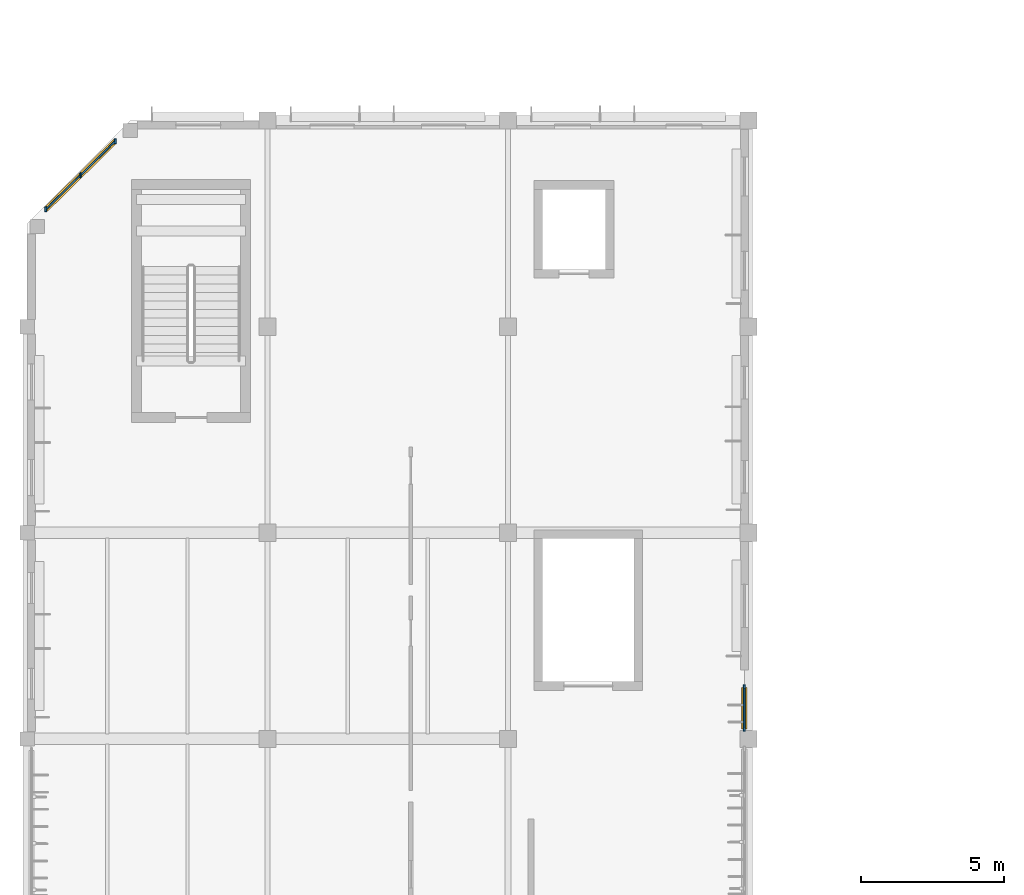
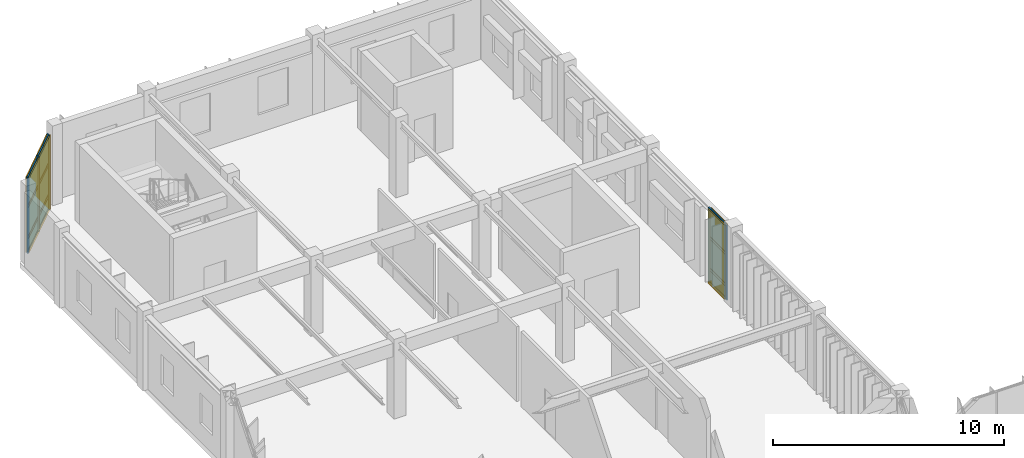
# One storey, part 94 of 122: 17 members, 9 plates, 2 curtain walls.
"""IFC4 building model written with IfcOpenShell, lengths in metres."""

from ifc_helpers import new_model, si_unit, direction, frame, frame_2d, origin, origin_2d, place, context, subcontext, project, spatial, rectangle, extrude, material, layer, layer_set, material_profile, profile_set, type_object, element, aggregate, save


model = new_model("IFC4")

# Units and contexts
model_context = context("Model", 3, precision=1e-05, world=origin(), true_north=direction((0.0, 1.0)))
body_context = subcontext(model_context, "Body", "Model", "MODEL_VIEW")
ifc_project = project(units=[si_unit("LENGTHUNIT", "METRE"), si_unit("AREAUNIT", "SQUARE_METRE"), si_unit("VOLUMEUNIT", "CUBIC_METRE"), si_unit("PLANEANGLEUNIT", "RADIAN"), si_unit("MASSUNIT", "GRAM", prefix="KILO")], contexts=[model_context])

# Member
ifc_material_1 = material(Name="Anodised Bronze Aluminium 6063-T6", Category="aluminium")
ifc_material_profile_1 = material_profile(ifc_material_1, rectangle(XDim=0.06005859375, YDim=0.179931640625, at=origin_2d()), Name="ALU MULLION 60x180")
ifc_profile_set_1 = profile_set([ifc_material_profile_1], Name="Anodised Bronze Aluminium 6063-T6")
member_type_1 = type_object("IfcMemberType", Name="Curtain-Wall Primary Mullion 60x180", PredefinedType="MULLION", material=ifc_profile_set_1)
site_placement = place(None, origin())
building_placement = place(site_placement, origin())
storey_placement = place(building_placement, frame((0.0, 0.0, 4.800048828125)))
member_1_placement = place(storey_placement, frame((5.474365234375, 87.080810546875, 0.0), z_axis=(0.0, 0.0, 1.0), x_axis=(1.0, 0.0, 0.0)))
member_1 = element("IfcMember", 1, at=member_1_placement, type_object=member_type_1, Name="Mullion CWM-01 CW-V6-NWCH-L01-M01", PredefinedType="MULLION", context=body_context, shape_type="SweptSolid", body=[
    extrude(rectangle(XDim=0.06005859375, YDim=0.179931640625, at=origin_2d()), origin(), (0.0, 0.0, 1.0), 3.93994140625),
])

member_2_placement = place(storey_placement, frame((4.26318359375, 85.888671875, 0.0), z_axis=(0.0, 0.0, 1.0), x_axis=(1.0, 0.0, 0.0)))
member_2 = element("IfcMember", 2, at=member_2_placement, type_object=member_type_1, Name="Mullion CWM-01 CW-V6-NWCH-L01-M02", PredefinedType="MULLION", context=body_context, shape_type="SweptSolid", body=[
    extrude(rectangle(XDim=0.06005859375, YDim=0.179931640625, at=origin_2d()), origin(), (0.0, 0.0, 1.0), 3.93994140625),
])

member_3_placement = place(storey_placement, frame((3.0517578125, 84.696533203125, 0.0), z_axis=(0.0, 0.0, 1.0), x_axis=(1.0, 0.0, 0.0)))
member_3 = element("IfcMember", 3, at=member_3_placement, type_object=member_type_1, Name="Mullion CWM-01 CW-V6-NWCH-L01-M03", PredefinedType="MULLION", context=body_context, shape_type="SweptSolid", body=[
    extrude(rectangle(XDim=0.06005859375, YDim=0.179931640625, at=origin_2d()), origin(), (0.0, 0.0, 1.0), 3.93994140625),
])

member_4_placement = place(storey_placement, frame((27.449951171875, 66.550048828125, 0.0), z_axis=(0.0, 0.0, 1.0), x_axis=(1.0, 0.0, 0.0)))
member_4 = element("IfcMember", 4, at=member_4_placement, type_object=member_type_1, Name="Mullion CWM-01 CW-V6-E1-L01-B4-M01", PredefinedType="MULLION", context=body_context, shape_type="SweptSolid", body=[
    extrude(rectangle(XDim=0.06005859375, YDim=0.179931640625, at=origin_2d()), origin(), (0.0, 0.0, 1.0), 3.93994140625),
])

member_5_placement = place(storey_placement, frame((27.449951171875, 68.0, 0.0), z_axis=(0.0, 0.0, 1.0), x_axis=(1.0, 0.0, 0.0)))
member_5 = element("IfcMember", 5, at=member_5_placement, type_object=member_type_1, Name="Mullion CWM-01 CW-V6-E1-L01-B4-M02", PredefinedType="MULLION", context=body_context, shape_type="SweptSolid", body=[
    extrude(rectangle(XDim=0.06005859375, YDim=0.179931640625, at=origin_2d()), origin(), (0.0, 0.0, 1.0), 3.93994140625),
])

ifc_material_profile_2 = material_profile(ifc_material_1, rectangle(XDim=0.06005859375, YDim=0.139892578125, at=origin_2d()), Name="ALU TRANSOM 60x140")
ifc_profile_set_2 = profile_set([ifc_material_profile_2], Name="Anodised Bronze Aluminium 6063-T6")
member_type_2 = type_object("IfcMemberType", Name="Curtain-Wall Transom 60x140", PredefinedType="USERDEFINED", material=ifc_profile_set_2)
member_6_placement = place(storey_placement, frame((5.449462890625, 87.05615234375, 0.0400390625), z_axis=(-0.71270278191, -0.701466139353, 0.0), x_axis=(0.701466139353, -0.71270278191, 0.0)))
member_6 = element("IfcMember", 6, at=member_6_placement, type_object=member_type_2, Name="Transom CWT-01 CW-V6-NWCH-L01-T01.1", ObjectType="TRANSOM", PredefinedType="USERDEFINED", context=body_context, shape_type="SweptSolid", body=[
    extrude(rectangle(XDim=0.06005859375, YDim=0.139892578125, at=origin_2d()), origin(), (0.0, 0.0, 1.0), 1.629638671875),
])

member_7_placement = place(storey_placement, frame((5.449462890625, 87.05615234375, 0.75), z_axis=(-0.71270278191, -0.701466139353, 0.0), x_axis=(0.701466139353, -0.71270278191, 0.0)))
member_7 = element("IfcMember", 7, at=member_7_placement, type_object=member_type_2, Name="Transom CWT-01 CW-V6-NWCH-L01-T01.2", ObjectType="TRANSOM", PredefinedType="USERDEFINED", context=body_context, shape_type="SweptSolid", body=[
    extrude(rectangle(XDim=0.06005859375, YDim=0.139892578125, at=origin_2d()), origin(), (0.0, 0.0, 1.0), 1.629638671875),
])

member_8_placement = place(storey_placement, frame((5.449462890625, 87.05615234375, 2.40869140625), z_axis=(-0.71270278191, -0.701466139353, 0.0), x_axis=(0.701466139353, -0.71270278191, 0.0)))
member_8 = element("IfcMember", 8, at=member_8_placement, type_object=member_type_2, Name="Transom CWT-01 CW-V6-NWCH-L01-T01.3", ObjectType="TRANSOM", PredefinedType="USERDEFINED", context=body_context, shape_type="SweptSolid", body=[
    extrude(rectangle(XDim=0.06005859375, YDim=0.139892578125, at=origin_2d()), origin(), (0.0, 0.0, 1.0), 1.629638671875),
])

member_9_placement = place(storey_placement, frame((5.449462890625, 87.05615234375, 3.89990234375), z_axis=(-0.71270278191, -0.701466139353, 0.0), x_axis=(0.701466139353, -0.71270278191, 0.0)))
member_9 = element("IfcMember", 9, at=member_9_placement, type_object=member_type_2, Name="Transom CWT-01 CW-V6-NWCH-L01-T01.4", ObjectType="TRANSOM", PredefinedType="USERDEFINED", context=body_context, shape_type="SweptSolid", body=[
    extrude(rectangle(XDim=0.06005859375, YDim=0.139892578125, at=origin_2d()), origin(), (0.0, 0.0, 1.0), 1.629638671875),
])

member_10_placement = place(storey_placement, frame((4.23828125, 85.864013671875, 0.0400390625), z_axis=(-0.712851387728, -0.70131512105, 0.0), x_axis=(0.70131512105, -0.712851387728, 0.0)))
member_10 = element("IfcMember", 10, at=member_10_placement, type_object=member_type_2, Name="Transom CWT-01 CW-V6-NWCH-L01-T02.1", ObjectType="TRANSOM", PredefinedType="USERDEFINED", context=body_context, shape_type="SweptSolid", body=[
    extrude(rectangle(XDim=0.06005859375, YDim=0.139892578125, at=origin_2d()), origin(), (0.0, 0.0, 1.0), 1.629638671875),
])

member_11_placement = place(storey_placement, frame((4.23828125, 85.864013671875, 0.75), z_axis=(-0.712851387728, -0.70131512105, 0.0), x_axis=(0.70131512105, -0.712851387728, 0.0)))
member_11 = element("IfcMember", 11, at=member_11_placement, type_object=member_type_2, Name="Transom CWT-01 CW-V6-NWCH-L01-T02.2", ObjectType="TRANSOM", PredefinedType="USERDEFINED", context=body_context, shape_type="SweptSolid", body=[
    extrude(rectangle(XDim=0.06005859375, YDim=0.139892578125, at=origin_2d()), origin(), (0.0, 0.0, 1.0), 1.629638671875),
])

member_12_placement = place(storey_placement, frame((4.23828125, 85.864013671875, 2.40869140625), z_axis=(-0.712851387728, -0.70131512105, 0.0), x_axis=(0.70131512105, -0.712851387728, 0.0)))
member_12 = element("IfcMember", 12, at=member_12_placement, type_object=member_type_2, Name="Transom CWT-01 CW-V6-NWCH-L01-T02.3", ObjectType="TRANSOM", PredefinedType="USERDEFINED", context=body_context, shape_type="SweptSolid", body=[
    extrude(rectangle(XDim=0.06005859375, YDim=0.139892578125, at=origin_2d()), origin(), (0.0, 0.0, 1.0), 1.629638671875),
])

member_13_placement = place(storey_placement, frame((4.23828125, 85.864013671875, 3.89990234375), z_axis=(-0.712851387728, -0.70131512105, 0.0), x_axis=(0.70131512105, -0.712851387728, 0.0)))
member_13 = element("IfcMember", 13, at=member_13_placement, type_object=member_type_2, Name="Transom CWT-01 CW-V6-NWCH-L01-T02.4", ObjectType="TRANSOM", PredefinedType="USERDEFINED", context=body_context, shape_type="SweptSolid", body=[
    extrude(rectangle(XDim=0.06005859375, YDim=0.139892578125, at=origin_2d()), origin(), (0.0, 0.0, 1.0), 1.629638671875),
])

member_14_placement = place(storey_placement, frame((27.449951171875, 66.5849609375, 0.0400390625), z_axis=(0.0, 1.0, 0.0), x_axis=(-1.0, 0.0, 0.0)))
member_14 = element("IfcMember", 14, at=member_14_placement, type_object=member_type_2, Name="Transom CWT-01 CW-V6-E1-L01-B4-T01.1", ObjectType="TRANSOM", PredefinedType="USERDEFINED", context=body_context, shape_type="SweptSolid", body=[
    extrude(rectangle(XDim=0.06005859375, YDim=0.139892578125, at=origin_2d()), origin(), (0.0, 0.0, 1.0), 1.380126953125),
])

member_15_placement = place(storey_placement, frame((27.449951171875, 66.5849609375, 0.75), z_axis=(0.0, 1.0, 0.0), x_axis=(-1.0, 0.0, 0.0)))
member_15 = element("IfcMember", 15, at=member_15_placement, type_object=member_type_2, Name="Transom CWT-01 CW-V6-E1-L01-B4-T01.2", ObjectType="TRANSOM", PredefinedType="USERDEFINED", context=body_context, shape_type="SweptSolid", body=[
    extrude(rectangle(XDim=0.06005859375, YDim=0.139892578125, at=origin_2d()), origin(), (0.0, 0.0, 1.0), 1.380126953125),
])

member_16_placement = place(storey_placement, frame((27.449951171875, 66.5849609375, 2.40869140625), z_axis=(0.0, 1.0, 0.0), x_axis=(-1.0, 0.0, 0.0)))
member_16 = element("IfcMember", 16, at=member_16_placement, type_object=member_type_2, Name="Transom CWT-01 CW-V6-E1-L01-B4-T01.3", ObjectType="TRANSOM", PredefinedType="USERDEFINED", context=body_context, shape_type="SweptSolid", body=[
    extrude(rectangle(XDim=0.06005859375, YDim=0.139892578125, at=origin_2d()), origin(), (0.0, 0.0, 1.0), 1.380126953125),
])

member_17_placement = place(storey_placement, frame((27.449951171875, 66.5849609375, 3.89990234375), z_axis=(0.0, 1.0, 0.0), x_axis=(-1.0, 0.0, 0.0)))
member_17 = element("IfcMember", 17, at=member_17_placement, type_object=member_type_2, Name="Transom CWT-01 CW-V6-E1-L01-B4-T01.4", ObjectType="TRANSOM", PredefinedType="USERDEFINED", context=body_context, shape_type="SweptSolid", body=[
    extrude(rectangle(XDim=0.06005859375, YDim=0.139892578125, at=origin_2d()), origin(), (0.0, 0.0, 1.0), 1.380126953125),
])

# Plate
ifc_material_2 = material(Name="Insulated Bronze Aluminium Spandrel Panel", Category="aluminium")
ifc_layer_1 = layer(ifc_material_2, 0.050048828125, Name="Insulated Bronze Aluminium Spandrel Panel")
ifc_layer_set_1 = layer_set([ifc_layer_1], Name="Insulated Bronze Aluminium Spandrel Panel")
plate_type_1 = type_object("IfcPlateType", Name="Insulated Anodised Aluminium Spandrel Cassette 50", PredefinedType="CURTAIN_PANEL", material=ifc_layer_set_1)
plate_1_placement = place(storey_placement, frame((4.868896484375, 86.484619140625, 0.070068359375), z_axis=(0.0, 0.0, 1.0), x_axis=(-0.712718100555, -0.701450574981, 0.0)))
plate_1 = element("IfcPlate", 18, at=plate_1_placement, type_object=plate_type_1, Name="Curtain Panel CWP-03 CW-V6-NWCH-L01-P01.1", PredefinedType="CURTAIN_PANEL", context=body_context, shape_type="SweptSolid", body=[
    extrude(rectangle(XDim=1.62939453125, YDim=0.050048828125, at=origin_2d()), origin(), (0.0, 0.0, 1.0), 0.64990234375),
])

plate_2_placement = place(storey_placement, frame((3.657470703125, 85.29248046875, 0.070068359375), z_axis=(0.0, 0.0, 1.0), x_axis=(-0.712718100555, -0.701450574981, 0.0)))
plate_2 = element("IfcPlate", 19, at=plate_2_placement, type_object=plate_type_1, Name="Curtain Panel CWP-03 CW-V6-NWCH-L01-P02.1", PredefinedType="CURTAIN_PANEL", context=body_context, shape_type="SweptSolid", body=[
    extrude(rectangle(XDim=1.62939453125, YDim=0.050048828125, at=origin_2d()), origin(), (0.0, 0.0, 1.0), 0.64990234375),
])

plate_3_placement = place(storey_placement, frame((27.449951171875, 67.27490234375, 0.070068359375), z_axis=(0.0, 0.0, 1.0), x_axis=(0.0, 1.0, 0.0)))
plate_3 = element("IfcPlate", 20, at=plate_3_placement, type_object=plate_type_1, Name="Curtain Panel CWP-03 CW-V6-E1-L01-B4-P01.1", PredefinedType="CURTAIN_PANEL", context=body_context, shape_type="SweptSolid", body=[
    extrude(rectangle(XDim=1.3798828125, YDim=0.050048828125, at=origin_2d()), origin(), (0.0, 0.0, 1.0), 0.64990234375),
])

ifc_material_3 = material(Name="Solar-Control Tempered Double Glazing", Category="glass")
ifc_layer_2 = layer(ifc_material_3, 0.0380859375, Name="Solar-Control Tempered Double Glazing")
ifc_layer_set_2 = layer_set([ifc_layer_2], Name="Solar-Control Tempered Double Glazing")
plate_type_2 = type_object("IfcPlateType", Name="Solar-Control Vision Glazing Unit 38", PredefinedType="CURTAIN_PANEL", material=ifc_layer_set_2)
plate_4_placement = place(storey_placement, frame((4.868896484375, 86.484619140625, 0.77978515625), z_axis=(0.0, 0.0, 1.0), x_axis=(-0.712718100555, -0.701450574981, 0.0)))
plate_4 = element("IfcPlate", 21, at=plate_4_placement, type_object=plate_type_2, Name="Curtain Panel CWP-02 CW-V6-NWCH-L01-P01.2", PredefinedType="CURTAIN_PANEL", context=body_context, shape_type="SweptSolid", body=[
    extrude(rectangle(XDim=1.62939453125, YDim=0.0380859375, at=origin_2d()), origin(), (0.0, 0.0, 1.0), 1.598876953125),
])

plate_5_placement = place(storey_placement, frame((4.868896484375, 86.484619140625, 2.438720703125), z_axis=(0.0, 0.0, 1.0), x_axis=(-0.712718100555, -0.701450574981, 0.0)))
plate_5 = element("IfcPlate", 22, at=plate_5_placement, type_object=plate_type_2, Name="Curtain Panel CWP-02 CW-V6-NWCH-L01-P01.3", PredefinedType="CURTAIN_PANEL", context=body_context, shape_type="SweptSolid", body=[
    extrude(rectangle(XDim=1.62939453125, YDim=0.0380859375, at=origin_2d()), origin(), (0.0, 0.0, 1.0), 1.43115234375),
])

plate_6_placement = place(storey_placement, frame((3.657470703125, 85.29248046875, 0.77978515625), z_axis=(0.0, 0.0, 1.0), x_axis=(-0.712718100555, -0.701450574981, 0.0)))
plate_6 = element("IfcPlate", 23, at=plate_6_placement, type_object=plate_type_2, Name="Curtain Panel CWP-02 CW-V6-NWCH-L01-P02.2", PredefinedType="CURTAIN_PANEL", context=body_context, shape_type="SweptSolid", body=[
    extrude(rectangle(XDim=1.62939453125, YDim=0.0380859375, at=origin_2d()), origin(), (0.0, 0.0, 1.0), 1.598876953125),
])

plate_7_placement = place(storey_placement, frame((3.657470703125, 85.29248046875, 2.438720703125), z_axis=(0.0, 0.0, 1.0), x_axis=(-0.712718100555, -0.701450574981, 0.0)))
plate_7 = element("IfcPlate", 24, at=plate_7_placement, type_object=plate_type_2, Name="Curtain Panel CWP-02 CW-V6-NWCH-L01-P02.3", PredefinedType="CURTAIN_PANEL", context=body_context, shape_type="SweptSolid", body=[
    extrude(rectangle(XDim=1.62939453125, YDim=0.0380859375, at=origin_2d()), origin(), (0.0, 0.0, 1.0), 1.43115234375),
])

plate_8_placement = place(storey_placement, frame((27.449951171875, 67.27490234375, 0.77978515625), z_axis=(0.0, 0.0, 1.0), x_axis=(0.0, 1.0, 0.0)))
plate_8 = element("IfcPlate", 25, at=plate_8_placement, type_object=plate_type_2, Name="Curtain Panel CWP-02 CW-V6-E1-L01-B4-P01.2", PredefinedType="CURTAIN_PANEL", context=body_context, shape_type="SweptSolid", body=[
    extrude(rectangle(XDim=1.3798828125, YDim=0.0380859375, at=origin_2d()), origin(), (0.0, 0.0, 1.0), 1.598876953125),
])

plate_9_placement = place(storey_placement, frame((27.449951171875, 67.27490234375, 2.438720703125), z_axis=(0.0, 0.0, 1.0), x_axis=(0.0, 1.0, 0.0)))
plate_9 = element("IfcPlate", 26, at=plate_9_placement, type_object=plate_type_2, Name="Curtain Panel CWP-02 CW-V6-E1-L01-B4-P01.3", PredefinedType="CURTAIN_PANEL", context=body_context, shape_type="SweptSolid", body=[
    extrude(rectangle(XDim=1.3798828125, YDim=0.0380859375, at=origin_2d()), origin(), (0.0, 0.0, 1.0), 1.43115234375),
])

# Site, building, storey
site = spatial("IfcSite", under=ifc_project, at=site_placement, CompositionType="ELEMENT")
building = spatial("IfcBuilding", under=site, at=building_placement, Name="Tazoul Stagehouse", CompositionType="ELEMENT")
storey = spatial("IfcBuildingStorey", under=building, at=storey_placement, Name="L01", CompositionType="ELEMENT", Elevation=4.800048828125)

# Curtain wall
curtain_wall_type_1 = type_object("IfcCurtainWallType", Name="Crescent Double-Skin Acoustic Curtain Wall", PredefinedType="NOTDEFINED", material=ifc_material_1)
curtain_wall_1_placement = place(storey_placement, frame((5.474365234375, 87.080810546875, 0.0), z_axis=(0.0, 0.0, 1.0), x_axis=(-0.712722588839, -0.701446014572, 0.0)))
curtain_wall_1 = element("IfcCurtainWall", 27, at=curtain_wall_1_placement, inside=storey, type_object=curtain_wall_type_1, Name="L01 Curtain Wall CW-01 (CW-V6-NWCH-L01)", PredefinedType="NOTDEFINED", context=body_context, shape_type="SweptSolid", body=[
    extrude(rectangle(XDim=3.399169921875, YDim=0.179931640625, at=frame_2d((1.69970703125, 0.0))), origin(), (0.0, 0.0, 1.0), 3.93994140625),
])

aggregate(curtain_wall_1, [member_1, member_2, member_3, member_6, member_7, member_8, member_9, plate_1, plate_4, plate_5, member_10, member_11, member_12, member_13, plate_2, plate_6, plate_7])

curtain_wall_type_2 = type_object("IfcCurtainWallType", Name="Foyer Clear Solar-Control Curtain Wall", PredefinedType="NOTDEFINED", material=ifc_material_1)
curtain_wall_2_placement = place(storey_placement, frame((27.449951171875, 66.550048828125, 0.0), z_axis=(0.0, 0.0, 1.0), x_axis=(0.0, 1.0, 0.0)))
curtain_wall_2 = element("IfcCurtainWall", 28, at=curtain_wall_2_placement, inside=storey, type_object=curtain_wall_type_2, Name="L01 Curtain Wall CW-02 (CW-V6-E1-L01-B4)", PredefinedType="NOTDEFINED", context=body_context, shape_type="SweptSolid", body=[
    extrude(rectangle(XDim=1.449951171875, YDim=0.179931640625, at=frame_2d((0.72509765625, 0.0))), origin(), (0.0, 0.0, 1.0), 3.93994140625),
])

aggregate(curtain_wall_2, [member_4, member_5, member_14, member_15, member_16, member_17, plate_3, plate_8, plate_9])

save(model, "model.ifc")
